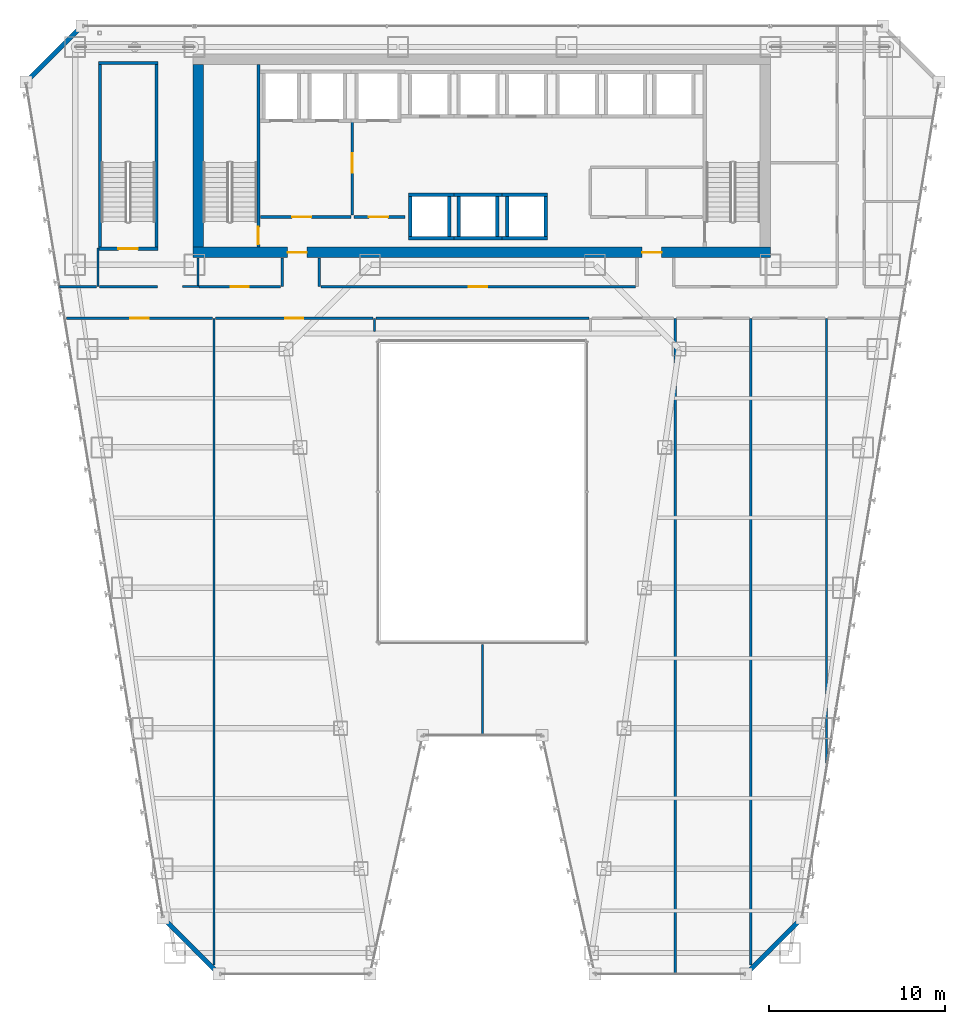
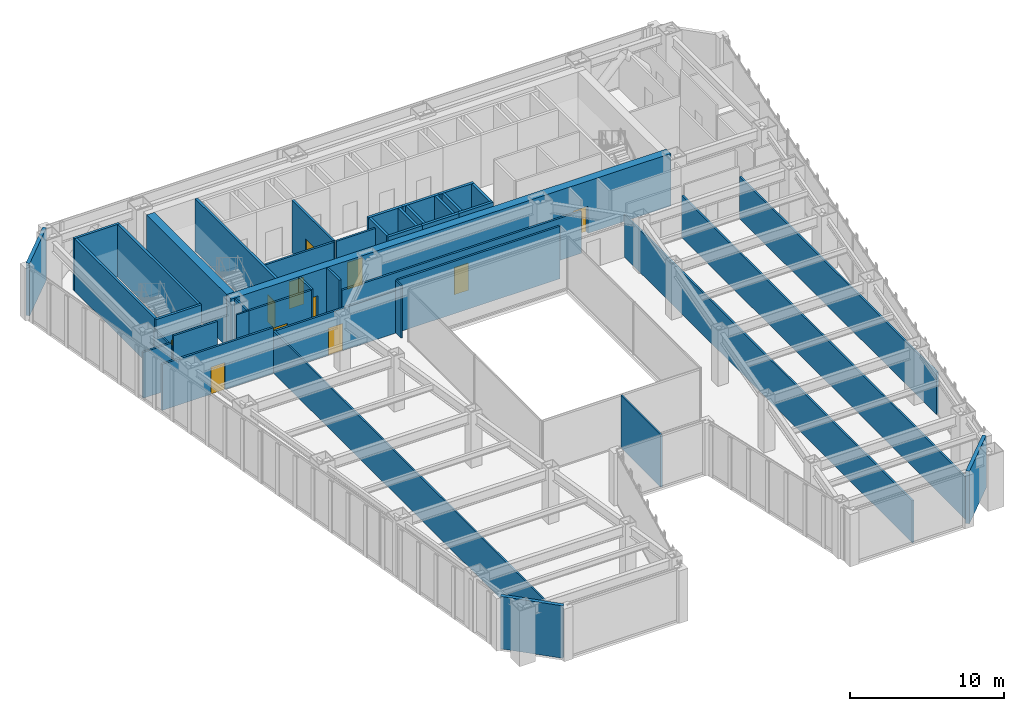
# One storey, part 36 of 47: 43 walls, 11 doors, 11 openings.
"""IFC4 building model written with IfcOpenShell, lengths in metres."""

from ifc_helpers import new_model, si_unit, direction, frame, frame_2d, origin, place, context, subcontext, project, spatial, rectangle, extrude, material, layer, layer_set, type_object, element, fill, save


model = new_model("IFC4")

# Units and contexts
model_context = context("Model", 3, precision=1e-05, world=origin(), true_north=direction((0.0, 1.0)))
body_context = subcontext(model_context, "Body", "Model", "MODEL_VIEW")
ifc_project = project(units=[si_unit("LENGTHUNIT", "METRE"), si_unit("AREAUNIT", "SQUARE_METRE"), si_unit("VOLUMEUNIT", "CUBIC_METRE"), si_unit("PLANEANGLEUNIT", "RADIAN"), si_unit("MASSUNIT", "GRAM", prefix="KILO")], contexts=[model_context])

# Site, building, storey
site_placement = place(None, origin())
site = spatial("IfcSite", under=ifc_project, at=site_placement, CompositionType="ELEMENT")
building_placement = place(site_placement, origin())
building = spatial("IfcBuilding", under=site, at=building_placement, Name="Saevonmaru Cultural Tower", CompositionType="ELEMENT")
storey_placement = place(building_placement, frame((0.0, 0.0, 60.39990234375)))
storey = spatial("IfcBuildingStorey", under=building, at=storey_placement, Name="L12", CompositionType="ELEMENT", Elevation=60.39990234375)

# Wall, openings, doors
ifc_material_1 = material(Name="Concrete C60/75", Category="concrete")
ifc_layer_1 = layer(ifc_material_1, 0.60009765625, Name="Concrete C60/75")
ifc_layer_set_1 = layer_set([ifc_layer_1], Name="Concrete C60/75")
wall_type_1 = type_object("IfcWallType", Name="WL-CORE-600", PredefinedType="SHEAR", material=ifc_layer_set_1)
wall_1_placement = place(storey_placement, frame((13.5, 43.10009765625, 0.0), z_axis=(0.0, 0.0, 1.0), x_axis=(1.0, 0.0, 0.0)))
wall_1 = element("IfcWall", 1, at=wall_1_placement, inside=storey, type_object=wall_type_1, Name="L12 Tower RC core shear wall S", PredefinedType="SHEAR", context=body_context, shape_type="SweptSolid", body=[
    extrude(rectangle(XDim=32.89990234375, YDim=0.60009765625, at=frame_2d((16.449951171875, 0.0))), origin(), (0.0, 0.0, 1.0), 4.150146484375),
])
opening_1_placement = place(wall_1_placement, frame((5.39990234375, 0.0, 0.0)))
opening_1 = element("IfcOpeningElement", 2, at=opening_1_placement, cuts=wall_1, Name="Opening FD-2", PredefinedType="OPENING", context=body_context, shape_type="SweptSolid", body=[
    extrude(rectangle(XDim=1.10009765625, YDim=2.14990234375, at=frame_2d((0.550048828125, 1.074951171875))), frame((0.0, 0.31005859375, 0.0), z_axis=(0.0, -1.0, 0.0), x_axis=(1.0, 0.0, 0.0)), (0.0, 0.0, 1.0), 0.6201171875),
])
opening_2_placement = place(wall_1_placement, frame((25.60009765625, 0.0, 0.0)))
opening_2 = element("IfcOpeningElement", 3, at=opening_2_placement, cuts=wall_1, Name="Opening FD-2", PredefinedType="OPENING", context=body_context, shape_type="SweptSolid", body=[
    extrude(rectangle(XDim=1.10009765625, YDim=2.14990234375, at=frame_2d((0.550048828125, 1.074951171875))), frame((0.0, 0.31005859375, 0.0), z_axis=(0.0, -1.0, 0.0), x_axis=(1.0, 0.0, 0.0)), (0.0, 0.0, 1.0), 0.6201171875),
])
ifc_material_2 = material(Name="Satin Bronze Anodised Aluminium", Category="aluminium")
door_type_1 = type_object("IfcDoorType", Name="DR-FD60-1100", OperationType="SINGLE_SWING_LEFT", PredefinedType="DOOR", material=ifc_material_2)
door_1_placement = place(opening_1_placement, origin())
door_1 = element("IfcDoor", 4, at=door_1_placement, inside=storey, type_object=door_type_1, Name="L12 Core West Lobby Fire Door", OperationType="SINGLE_SWING_LEFT", OverallHeight=2.14990234375, OverallWidth=1.10009765625, PredefinedType="DOOR", context=body_context, shape_type="SweptSolid", body=[
    extrude(rectangle(XDim=1.10009765625, YDim=2.14990234375, at=frame_2d((0.550048828125, 1.074951171875))), frame((0.0, 0.02490234375, 0.0), z_axis=(0.0, -1.0, 0.0), x_axis=(1.0, 0.0, 0.0)), (0.0, 0.0, 1.0), 0.050048828125),
])
fill(opening_1, door_1)
door_2_placement = place(opening_2_placement, origin())
door_2 = element("IfcDoor", 5, at=door_2_placement, inside=storey, type_object=door_type_1, Name="L12 Core East Lobby Fire Door", OperationType="SINGLE_SWING_LEFT", OverallHeight=2.14990234375, OverallWidth=1.10009765625, PredefinedType="DOOR", context=body_context, shape_type="SweptSolid", body=[
    extrude(rectangle(XDim=1.10009765625, YDim=2.14990234375, at=frame_2d((0.550048828125, 1.074951171875))), frame((0.0, 0.02490234375, 0.0), z_axis=(0.0, -1.0, 0.0), x_axis=(1.0, 0.0, 0.0)), (0.0, 0.0, 1.0), 0.050048828125),
])
fill(opening_2, door_2)

# Wall
wall_2_placement = place(storey_placement, frame((13.800048828125, 43.39990234375, 0.0), z_axis=(0.0, 0.0, 1.0), x_axis=(0.0, 1.0, 0.0)))
element("IfcWall", 6, at=wall_2_placement, inside=storey, type_object=wall_type_1, Name="L12 Tower RC core shear wall W", PredefinedType="SHEAR", context=body_context, shape_type="SweptSolid", body=[
    extrude(rectangle(XDim=10.400146484375, YDim=0.60009765625, at=frame_2d((5.2001953125, 0.0))), origin(), (0.0, 0.0, 1.0), 4.150146484375),
])

# Wall, opening, door
ifc_material_3 = material(Name="Gypsum Fireboard Partition", Category="gypsum")
ifc_layer_2 = layer(ifc_material_3, 0.14990234375, Name="Gypsum Fireboard Partition")
ifc_layer_set_2 = layer_set([ifc_layer_2], Name="Gypsum Fireboard Partition")
wall_type_2 = type_object("IfcWallType", Name="WL-CORE-PART-150", PredefinedType="PARTITIONING", material=ifc_layer_set_2)
wall_3_placement = place(storey_placement, frame((17.360107421875, 45.1201171875, 0.0), z_axis=(0.0, 0.0, 1.0), x_axis=(1.0, 0.0, 0.0)))
wall_3 = element("IfcWall", 7, at=wall_3_placement, inside=storey, type_object=wall_type_2, Name="L12 Firefighting Lift Lobby South Wall", PredefinedType="PARTITIONING", context=body_context, shape_type="SweptSolid", body=[
    extrude(rectangle(XDim=5.139892578125, YDim=0.14990234375, at=frame_2d((2.56982421875, 0.0))), origin(), (0.0, 0.0, 1.0), 4.150146484375),
])
opening_3_placement = place(wall_3_placement, frame((1.800048828125, 0.0, 0.0)))
opening_3 = element("IfcOpeningElement", 8, at=opening_3_placement, cuts=wall_3, Name="Opening FD-2", PredefinedType="OPENING", context=body_context, shape_type="SweptSolid", body=[
    extrude(rectangle(XDim=1.10009765625, YDim=2.14990234375, at=frame_2d((0.550048828125, 1.074951171875))), frame((0.0, 0.0849609375, 0.0), z_axis=(0.0, -1.0, 0.0), x_axis=(1.0, 0.0, 0.0)), (0.0, 0.0, 1.0), 0.169921875),
])
door_3_placement = place(opening_3_placement, origin())
door_3 = element("IfcDoor", 9, at=door_3_placement, inside=storey, type_object=door_type_1, Name="L12 Firefighting Lift Lobby South Door", OperationType="SINGLE_SWING_LEFT", OverallHeight=2.14990234375, OverallWidth=1.10009765625, PredefinedType="DOOR", context=body_context, shape_type="SweptSolid", body=[
    extrude(rectangle(XDim=1.10009765625, YDim=2.14990234375, at=frame_2d((0.550048828125, 1.074951171875))), frame((0.0, 0.02490234375, 0.0), z_axis=(0.0, -1.0, 0.0), x_axis=(1.0, 0.0, 0.0)), (0.0, 0.0, 1.0), 0.050048828125),
])
fill(opening_3, door_3)

wall_4_placement = place(storey_placement, frame((22.580078125, 50.550048828125, 0.0), z_axis=(0.0, 0.0, 1.0), x_axis=(0.0, -1.0, 0.0)))
wall_4 = element("IfcWall", 10, at=wall_4_placement, inside=storey, type_object=wall_type_2, Name="L12 Firefighting Lift Lobby East Wall", PredefinedType="PARTITIONING", context=body_context, shape_type="SweptSolid", body=[
    extrude(rectangle(XDim=5.330078125, YDim=0.14990234375, at=frame_2d((2.6650390625, 0.0))), origin(), (0.0, 0.0, 1.0), 4.150146484375),
])
opening_4_placement = place(wall_4_placement, frame((1.800048828125, 0.0, 0.0)))
opening_4 = element("IfcOpeningElement", 11, at=opening_4_placement, cuts=wall_4, Name="Opening FD-2", PredefinedType="OPENING", context=body_context, shape_type="SweptSolid", body=[
    extrude(rectangle(XDim=1.10009765625, YDim=2.14990234375, at=frame_2d((0.550048828125, 1.074951171875))), frame((0.0, 0.0849609375, 0.0), z_axis=(0.0, -1.0, 0.0), x_axis=(1.0, 0.0, 0.0)), (0.0, 0.0, 1.0), 0.169921875),
])
door_4_placement = place(opening_4_placement, origin())
door_4 = element("IfcDoor", 12, at=door_4_placement, inside=storey, type_object=door_type_1, Name="L12 Firefighting Lift Lobby East Door", OperationType="SINGLE_SWING_LEFT", OverallHeight=2.14990234375, OverallWidth=1.10009765625, PredefinedType="DOOR", context=body_context, shape_type="SweptSolid", body=[
    extrude(rectangle(XDim=1.10009765625, YDim=2.14990234375, at=frame_2d((0.550048828125, 1.074951171875))), frame((0.0, 0.02490234375, 0.0), z_axis=(0.0, -1.0, 0.0), x_axis=(1.0, 0.0, 0.0)), (0.0, 0.0, 1.0), 0.050048828125),
])
fill(opening_4, door_4)

wall_5_placement = place(storey_placement, frame((22.679931640625, 45.1201171875, 0.0), z_axis=(0.0, 0.0, 1.0), x_axis=(1.0, 0.0, 0.0)))
wall_5 = element("IfcWall", 13, at=wall_5_placement, inside=storey, type_object=wall_type_2, Name="L12 Service Lift Vestibule Wall", PredefinedType="PARTITIONING", context=body_context, shape_type="SweptSolid", body=[
    extrude(rectangle(XDim=2.920166015625, YDim=0.14990234375, at=frame_2d((1.4599609375, 0.0))), origin(), (0.0, 0.0, 1.0), 4.150146484375),
])
opening_5_placement = place(wall_5_placement, frame((0.85009765625, 0.0, 0.0)))
opening_5 = element("IfcOpeningElement", 14, at=opening_5_placement, cuts=wall_5, Name="Opening FD-2", PredefinedType="OPENING", context=body_context, shape_type="SweptSolid", body=[
    extrude(rectangle(XDim=1.10009765625, YDim=2.14990234375, at=frame_2d((0.550048828125, 1.074951171875))), frame((0.0, 0.0849609375, 0.0), z_axis=(0.0, -1.0, 0.0), x_axis=(1.0, 0.0, 0.0)), (0.0, 0.0, 1.0), 0.169921875),
])
door_5_placement = place(opening_5_placement, origin())
door_5 = element("IfcDoor", 15, at=door_5_placement, inside=storey, type_object=door_type_1, Name="L12 Service Lift Vestibule Door", OperationType="SINGLE_SWING_LEFT", OverallHeight=2.14990234375, OverallWidth=1.10009765625, PredefinedType="DOOR", context=body_context, shape_type="SweptSolid", body=[
    extrude(rectangle(XDim=1.10009765625, YDim=2.14990234375, at=frame_2d((0.550048828125, 1.074951171875))), frame((0.0, 0.02490234375, 0.0), z_axis=(0.0, -1.0, 0.0), x_axis=(1.0, 0.0, 0.0)), (0.0, 0.0, 1.0), 0.050048828125),
])
fill(opening_5, door_5)

# Walls
ifc_material_4 = material(Name="Granite-Clad Precast Concrete C40/50", Category="masonry")
ifc_layer_3 = layer(ifc_material_4, 0.260009765625, Name="Granite-Clad Precast Concrete C40/50")
ifc_layer_set_3 = layer_set([ifc_layer_3], Name="Granite-Clad Precast Concrete C40/50")
wall_type_3 = type_object("IfcWallType", Name="WL-EXT-SPANDREL-260", PredefinedType="STANDARD", material=ifc_layer_set_3)
for number, where, z_axis, x_axis, name in (
    (16, (11.9130859375, 5.0869140625, 0.0), (0.0, 0.0, 1.0), (0.707106781187, -0.707106781187, 0.0), "L12 Chamfer Corner Spandrel Wall E1"),
    (17, (45.113037109375, 2.113037109375, 0.0), (0.0, 0.0, 1.0), (0.707106781187, 0.707106781187, 0.0), "L12 Chamfer Corner Spandrel Wall E7"),
    (18, (7.0869140625, 55.886962890625, 0.0), (0.0, 0.0, 1.0), (-0.707106781187, -0.707106781187, 0.0), "L12 Chamfer Corner Spandrel Wall E11"),
):
    element("IfcWall", number, at=place(storey_placement, frame(where, z_axis=z_axis, x_axis=x_axis)), inside=storey, type_object=wall_type_3, Name=name, PredefinedType="STANDARD", context=body_context, shape_type="SweptSolid", body=[
        extrude(rectangle(XDim=4.205810546875, YDim=0.260009765625, at=frame_2d((2.10302734375, 0.0))), origin(), (0.0, 0.0, 1.0), 4.150146484375),
    ])
ifc_layer_4 = layer(ifc_material_3, 0.14990234375, Name="Gypsum Fireboard Partition")
ifc_layer_set_4 = layer_set([ifc_layer_4], Name="Gypsum Fireboard Partition")
wall_type_4 = type_object("IfcWallType", Name="WL-PART-FIRE-150", PredefinedType="PARTITIONING", material=ifc_layer_set_4)
wall_6_placement = place(storey_placement, frame((8.179931640625, 41.14990234375, 0.0), z_axis=(0.0, 0.0, 1.0), x_axis=(1.0, 0.0, 0.0)))
element("IfcWall", 19, at=wall_6_placement, inside=storey, type_object=wall_type_4, Name="L12 Stair ST-3 South Vestibule Wall", PredefinedType="PARTITIONING", context=body_context, shape_type="SweptSolid", body=[
    extrude(rectangle(XDim=3.300048828125, YDim=0.14990234375, at=frame_2d((1.64990234375, 0.0))), origin(), (0.0, 0.0, 1.0), 4.150146484375),
])
wall_7_placement = place(storey_placement, frame((5.9140625, 41.14990234375, 0.0), z_axis=(0.0, 0.0, 1.0), x_axis=(1.0, 0.0, 0.0)))
element("IfcWall", 20, at=wall_7_placement, inside=storey, type_object=wall_type_4, Name="L12 Contemporary Photography Gallery Corridor Wall", PredefinedType="PARTITIONING", context=body_context, shape_type="SweptSolid", body=[
    extrude(rectangle(XDim=2.10595703125, YDim=0.14990234375, at=frame_2d((1.052978515625, 0.0))), origin(), (0.0, 0.0, 1.0), 3.635009765625),
])
for number, where, z_axis, x_axis, name in (
    (21, (18.60009765625, 41.14990234375, 0.0), (0.0, 0.0, 1.0), (0.0, 1.0, 0.0), "L12 Core Portal Side Wall W1"),
    (22, (20.699951171875, 41.14990234375, 0.0), (0.0, 0.0, 1.0), (0.0, 1.0, 0.0), "L12 Core Portal Side Wall W2"),
):
    element("IfcWall", number, at=place(storey_placement, frame(where, z_axis=z_axis, x_axis=x_axis)), inside=storey, type_object=wall_type_4, Name=name, PredefinedType="PARTITIONING", context=body_context, shape_type="SweptSolid", body=[
        extrude(rectangle(XDim=1.630126953125, YDim=0.14990234375, at=frame_2d((0.81494140625, 0.0))), origin(), (0.0, 0.0, 1.0), 4.150146484375),
    ])

# Wall, opening, door
wall_8_placement = place(storey_placement, frame((13.85009765625, 41.14990234375, 0.0), z_axis=(0.0, 0.0, 1.0), x_axis=(1.0, 0.0, 0.0)))
wall_8 = element("IfcWall", 23, at=wall_8_placement, inside=storey, type_object=wall_type_4, Name="L12 Permanent Exhibition Gallery Corridor Wall", PredefinedType="PARTITIONING", context=body_context, shape_type="SweptSolid", body=[
    extrude(rectangle(XDim=4.65478515625, YDim=0.14990234375, at=frame_2d((2.327392578125, 0.0))), origin(), (0.0, 0.0, 1.0), 4.150146484375),
])
opening_6_placement = place(wall_8_placement, frame((1.802001953125, 0.0, 0.0)))
opening_6 = element("IfcOpeningElement", 24, at=opening_6_placement, cuts=wall_8, Name="Opening ID-1", PredefinedType="OPENING", context=body_context, shape_type="SweptSolid", body=[
    extrude(rectangle(XDim=1.050048828125, YDim=2.14990234375, at=frame_2d((0.52490234375, 1.074951171875))), frame((0.0, 0.0849609375, 0.0), z_axis=(0.0, -1.0, 0.0), x_axis=(1.0, 0.0, 0.0)), (0.0, 0.0, 1.0), 0.169921875),
])
door_type_2 = type_object("IfcDoorType", Name="DR-INT-1050", OperationType="SINGLE_SWING_LEFT", PredefinedType="DOOR", material=ifc_material_2)
door_6_placement = place(opening_6_placement, origin())
door_6 = element("IfcDoor", 25, at=door_6_placement, inside=storey, type_object=door_type_2, Name="L12 Permanent Exhibition Gallery Door", OperationType="SINGLE_SWING_LEFT", OverallHeight=2.14990234375, OverallWidth=1.050048828125, PredefinedType="DOOR", context=body_context, shape_type="SweptSolid", body=[
    extrude(rectangle(XDim=1.050048828125, YDim=2.14990234375, at=frame_2d((0.52490234375, 1.074951171875))), frame((0.0, 0.02490234375, 0.0), z_axis=(0.0, -1.0, 0.0), x_axis=(1.0, 0.0, 0.0)), (0.0, 0.0, 1.0), 0.050048828125),
])
fill(opening_6, door_6)

wall_9_placement = place(storey_placement, frame((20.794921875, 41.14990234375, 0.0), z_axis=(0.0, 0.0, 1.0), x_axis=(1.0, 0.0, 0.0)))
wall_9 = element("IfcWall", 26, at=wall_9_placement, inside=storey, type_object=wall_type_4, Name="L12 Contemporary Photography Gallery Corridor Wall", PredefinedType="PARTITIONING", context=body_context, shape_type="SweptSolid", body=[
    extrude(rectangle(XDim=17.91015625, YDim=0.14990234375, at=frame_2d((8.955078125, 0.0))), origin(), (0.0, 0.0, 1.0), 3.335205078125),
])
opening_7_placement = place(wall_9_placement, frame((8.429931640625, 0.0, 0.0)))
opening_7 = element("IfcOpeningElement", 27, at=opening_7_placement, cuts=wall_9, Name="Opening ID-1", PredefinedType="OPENING", context=body_context, shape_type="SweptSolid", body=[
    extrude(rectangle(XDim=1.050048828125, YDim=2.14990234375, at=frame_2d((0.52490234375, 1.074951171875))), frame((0.0, 0.0849609375, 0.0), z_axis=(0.0, -1.0, 0.0), x_axis=(1.0, 0.0, 0.0)), (0.0, 0.0, 1.0), 0.169921875),
])
door_7_placement = place(opening_7_placement, origin())
door_7 = element("IfcDoor", 28, at=door_7_placement, inside=storey, type_object=door_type_2, Name="L12 Contemporary Photography Gallery Door", OperationType="SINGLE_SWING_RIGHT", OverallHeight=2.14990234375, OverallWidth=1.050048828125, PredefinedType="DOOR", context=body_context, shape_type="SweptSolid", body=[
    extrude(rectangle(XDim=1.050048828125, YDim=2.14990234375, at=frame_2d((0.52490234375, 1.074951171875))), frame((0.0, 0.02490234375, 0.0), z_axis=(0.0, -1.0, 0.0), x_axis=(1.0, 0.0, 0.0)), (0.0, 0.0, 1.0), 0.050048828125),
])
fill(opening_7, door_7)

wall_10_placement = place(storey_placement, frame((6.304931640625, 39.35009765625, 0.0), z_axis=(0.0, 0.0, 1.0), x_axis=(1.0, 0.0, 0.0)))
wall_10 = element("IfcWall", 29, at=wall_10_placement, inside=storey, type_object=wall_type_4, Name="L12 Permanent Exhibition Gallery Corridor Wall", PredefinedType="PARTITIONING", context=body_context, shape_type="SweptSolid", body=[
    extrude(rectangle(XDim=8.324951171875, YDim=0.14990234375, at=frame_2d((4.16259765625, 0.0))), origin(), (0.0, 0.0, 1.0), 3.635009765625),
])
opening_8_placement = place(wall_10_placement, frame((3.637939453125, 0.0, 0.0)))
opening_8 = element("IfcOpeningElement", 30, at=opening_8_placement, cuts=wall_10, Name="Opening ID-1", PredefinedType="OPENING", context=body_context, shape_type="SweptSolid", body=[
    extrude(rectangle(XDim=1.050048828125, YDim=2.14990234375, at=frame_2d((0.52490234375, 1.074951171875))), frame((0.0, 0.0849609375, 0.0), z_axis=(0.0, -1.0, 0.0), x_axis=(1.0, 0.0, 0.0)), (0.0, 0.0, 1.0), 0.169921875),
])
door_8_placement = place(opening_8_placement, origin())
door_8 = element("IfcDoor", 31, at=door_8_placement, inside=storey, type_object=door_type_2, Name="L12 Permanent Exhibition Gallery Door", OperationType="SINGLE_SWING_RIGHT", OverallHeight=2.14990234375, OverallWidth=1.050048828125, PredefinedType="DOOR", context=body_context, shape_type="SweptSolid", body=[
    extrude(rectangle(XDim=1.050048828125, YDim=2.14990234375, at=frame_2d((0.52490234375, 1.074951171875))), frame((0.0, 0.02490234375, 0.0), z_axis=(0.0, -1.0, 0.0), x_axis=(1.0, 0.0, 0.0)), (0.0, 0.0, 1.0), 0.050048828125),
])
fill(opening_8, door_8)

wall_11_placement = place(storey_placement, frame((14.7900390625, 39.35009765625, 0.0), z_axis=(0.0, 0.0, 1.0), x_axis=(1.0, 0.0, 0.0)))
wall_11 = element("IfcWall", 32, at=wall_11_placement, inside=storey, type_object=wall_type_4, Name="L12 Contemporary Photography Gallery Corridor Wall", PredefinedType="PARTITIONING", context=body_context, shape_type="SweptSolid", body=[
    extrude(rectangle(XDim=8.97998046875, YDim=0.14990234375, at=frame_2d((4.489990234375, 0.0))), origin(), (0.0, 0.0, 1.0), 3.335205078125),
])
opening_9_placement = place(wall_11_placement, frame((3.965087890625, 0.0, 0.0)))
opening_9 = element("IfcOpeningElement", 33, at=opening_9_placement, cuts=wall_11, Name="Opening ID-1", PredefinedType="OPENING", context=body_context, shape_type="SweptSolid", body=[
    extrude(rectangle(XDim=1.050048828125, YDim=2.14990234375, at=frame_2d((0.52490234375, 1.074951171875))), frame((0.0, 0.0849609375, 0.0), z_axis=(0.0, -1.0, 0.0), x_axis=(1.0, 0.0, 0.0)), (0.0, 0.0, 1.0), 0.169921875),
])
door_9_placement = place(opening_9_placement, origin())
door_9 = element("IfcDoor", 34, at=door_9_placement, inside=storey, type_object=door_type_2, Name="L12 Contemporary Photography Gallery Door", OperationType="SINGLE_SWING_LEFT", OverallHeight=2.14990234375, OverallWidth=1.050048828125, PredefinedType="DOOR", context=body_context, shape_type="SweptSolid", body=[
    extrude(rectangle(XDim=1.050048828125, YDim=2.14990234375, at=frame_2d((0.52490234375, 1.074951171875))), frame((0.0, 0.02490234375, 0.0), z_axis=(0.0, -1.0, 0.0), x_axis=(1.0, 0.0, 0.0)), (0.0, 0.0, 1.0), 0.050048828125),
])
fill(opening_9, door_9)

# Walls
wall_12_placement = place(storey_placement, frame((23.929931640625, 39.35009765625, 0.0), z_axis=(0.0, 0.0, 1.0), x_axis=(1.0, 0.0, 0.0)))
element("IfcWall", 35, at=wall_12_placement, inside=storey, type_object=wall_type_4, Name="L12 North Atrium Corridor Wall", PredefinedType="PARTITIONING", context=body_context, shape_type="SweptSolid", body=[
    extrude(rectangle(XDim=12.14013671875, YDim=0.14990234375, at=frame_2d((6.070068359375, 0.0))), origin(), (0.0, 0.0, 1.0), 4.150146484375),
])
ifc_layer_5 = layer(ifc_material_3, 0.1201171875, Name="Gypsum Fireboard Partition")
ifc_layer_set_5 = layer_set([ifc_layer_5], Name="Gypsum Fireboard Partition")
wall_type_5 = type_object("IfcWallType", Name="WL-PART-GYP-120", PredefinedType="PARTITIONING", material=ifc_layer_set_5)
wall_13_placement = place(storey_placement, frame((12.919921875, 41.14990234375, 0.0), z_axis=(0.0, 0.0, 1.0), x_axis=(1.0, 0.0, 0.0)))
element("IfcWall", 36, at=wall_13_placement, inside=storey, type_object=wall_type_5, Name="L12 NW Inner South Wall", PredefinedType="PARTITIONING", context=body_context, shape_type="SweptSolid", body=[
    extrude(rectangle(XDim=0.93017578125, YDim=0.1201171875, at=frame_2d((0.465087890625, 0.0))), origin(), (0.0, 0.0, 1.0), 4.150146484375),
])
wall_14_placement = place(storey_placement, frame((13.800048828125, 41.22998046875, 0.0), z_axis=(0.0, 0.0, 1.0), x_axis=(0.0, 1.0, 0.0)))
element("IfcWall", 37, at=wall_14_placement, inside=storey, type_object=wall_type_5, Name="L12 NW Inner Core Return", PredefinedType="PARTITIONING", context=body_context, shape_type="SweptSolid", body=[
    extrude(rectangle(XDim=1.550048828125, YDim=0.1201171875, at=frame_2d((0.77490234375, 0.0))), origin(), (0.0, 0.0, 1.0), 4.150146484375),
])
wall_15_placement = place(storey_placement, frame((8.10009765625, 41.14990234375, 0.0), z_axis=(0.0, 0.0, 1.0), x_axis=(0.0, 1.0, 0.0)))
element("IfcWall", 38, at=wall_15_placement, inside=storey, type_object=wall_type_5, Name="L12 NW Stair Return", PredefinedType="PARTITIONING", context=body_context, shape_type="SweptSolid", body=[
    extrude(rectangle(XDim=2.2001953125, YDim=0.1201171875, at=frame_2d((1.10009765625, 0.0))), origin(), (0.0, 0.0, 1.0), 3.335205078125),
])
wall_16_placement = place(storey_placement, frame((14.7099609375, 2.502197265625, 0.0), z_axis=(0.0, 0.0, 1.0), x_axis=(0.0, 1.0, 0.0)))
element("IfcWall", 39, at=wall_16_placement, inside=storey, type_object=wall_type_5, Name="L12 West Bay Divider 1", PredefinedType="PARTITIONING", context=body_context, shape_type="SweptSolid", body=[
    extrude(rectangle(XDim=36.847900390625, YDim=0.1201171875, at=frame_2d((18.423828125, 0.0))), origin(), (0.0, 0.0, 1.0), 3.335205078125),
])
wall_17_placement = place(storey_placement, frame((23.85009765625, 38.60009765625, 0.0), z_axis=(0.0, 0.0, 1.0), x_axis=(0.0, 1.0, 0.0)))
element("IfcWall", 40, at=wall_17_placement, inside=storey, type_object=wall_type_5, Name="L12 North Atrium West Wall", PredefinedType="PARTITIONING", context=body_context, shape_type="SweptSolid", body=[
    extrude(rectangle(XDim=0.75, YDim=0.1201171875, at=frame_2d((0.375, 0.0))), origin(), (0.0, 0.0, 1.0), 4.150146484375),
])
wall_18_placement = place(storey_placement, frame((30.0, 15.60498046875, 0.0), z_axis=(0.0, 0.0, 1.0), x_axis=(0.0, 1.0, 0.0)))
element("IfcWall", 41, at=wall_18_placement, inside=storey, type_object=wall_type_5, Name="L12 South Atrium Center Split", PredefinedType="PARTITIONING", context=body_context, shape_type="SweptSolid", body=[
    extrude(rectangle(XDim=5.175048828125, YDim=0.1201171875, at=frame_2d((2.58740234375, 0.0))), origin(), (0.0, 0.0, 1.0), 4.150146484375),
])
ifc_layer_6 = layer(ifc_material_3, 0.135009765625, Name="Gypsum Fireboard Partition")
ifc_layer_set_6 = layer_set([ifc_layer_6], Name="Gypsum Fireboard Partition")
wall_type_6 = type_object("IfcWallType", Name="WL-PART-GYP-135", PredefinedType="PARTITIONING", material=ifc_layer_set_6)
wall_19_placement = place(storey_placement, frame((40.97998046875, 2.0048828125, 0.0), z_axis=(0.0, 0.0, 1.0), x_axis=(0.0, 1.0, 0.0)))
element("IfcWall", 42, at=wall_19_placement, inside=storey, type_object=wall_type_6, Name="L12 East Bay Divider 1", PredefinedType="PARTITIONING", context=body_context, shape_type="SweptSolid", body=[
    extrude(rectangle(XDim=37.34521484375, YDim=0.135009765625, at=frame_2d((18.672607421875, 0.0))), origin(), (0.0, 0.0, 1.0), 3.335205078125),
])
wall_20_placement = place(storey_placement, frame((45.2900390625, 2.502197265625, 0.0), z_axis=(0.0, 0.0, 1.0), x_axis=(0.0, 1.0, 0.0)))
element("IfcWall", 43, at=wall_20_placement, inside=storey, type_object=wall_type_6, Name="L12 East Bay Divider 2", PredefinedType="PARTITIONING", context=body_context, shape_type="SweptSolid", body=[
    extrude(rectangle(XDim=36.847900390625, YDim=0.135009765625, at=frame_2d((18.423828125, 0.0))), origin(), (0.0, 0.0, 1.0), 3.335205078125),
])
wall_21_placement = place(storey_placement, frame((49.60009765625, 13.7744140625, 0.0), z_axis=(0.0, 0.0, 1.0), x_axis=(0.0, 1.0, 0.0)))
element("IfcWall", 44, at=wall_21_placement, inside=storey, type_object=wall_type_6, Name="L12 East Bay Divider 3", PredefinedType="PARTITIONING", context=body_context, shape_type="SweptSolid", body=[
    extrude(rectangle(XDim=25.57568359375, YDim=0.135009765625, at=frame_2d((12.787841796875, 0.0))), origin(), (0.0, 0.0, 1.0), 3.335205078125),
])
ifc_material_5 = material(Name="Concrete C40/50", Category="concrete")
ifc_layer_7 = layer(ifc_material_5, 0.199951171875, Name="Concrete C40/50")
ifc_layer_set_7 = layer_set([ifc_layer_7], Name="Concrete C40/50")
wall_type_7 = type_object("IfcWallType", Name="WL-SHAFT-200", PredefinedType="SHEAR", material=ifc_layer_set_7)
for number, where, z_axis, x_axis, name in (
    (45, (25.800048828125, 43.89990234375, 0.0), (0.0, 0.0, 1.0), (1.0, 0.0, 0.0), "L12 Lift PL-M1 Hoistway Wall S"),
    (46, (25.800048828125, 46.39990234375, 0.0), (0.0, 0.0, 1.0), (1.0, 0.0, 0.0), "L12 Lift PL-M1 Hoistway Wall N"),
):
    element("IfcWall", number, at=place(storey_placement, frame(where, z_axis=z_axis, x_axis=x_axis)), inside=storey, type_object=wall_type_7, Name=name, PredefinedType="SHEAR", context=body_context, shape_type="SweptSolid", body=[
        extrude(rectangle(XDim=2.574951171875, YDim=0.199951171875, at=frame_2d((1.28759765625, 0.0))), origin(), (0.0, 0.0, 1.0), 4.150146484375),
    ])
for number, where, z_axis, x_axis, name in (
    (47, (25.89990234375, 44.0, 0.0), (0.0, 0.0, 1.0), (0.0, 1.0, 0.0), "L12 Lift PL-M1 Hoistway Wall W"),
    (48, (28.10009765625, 44.0, 0.0), (0.0, 0.0, 1.0), (0.0, 1.0, 0.0), "L12 Lift PL-M1 Hoistway Wall E"),
):
    element("IfcWall", number, at=place(storey_placement, frame(where, z_axis=z_axis, x_axis=x_axis)), inside=storey, type_object=wall_type_7, Name=name, PredefinedType="SHEAR", context=body_context, shape_type="SweptSolid", body=[
        extrude(rectangle(XDim=2.300048828125, YDim=0.199951171875, at=frame_2d((1.14990234375, 0.0))), origin(), (0.0, 0.0, 1.0), 4.150146484375),
    ])
for number, where, z_axis, x_axis, name in (
    (49, (28.375, 43.89990234375, 0.0), (0.0, 0.0, 1.0), (1.0, 0.0, 0.0), "L12 Lift PL-M2 Hoistway Wall S"),
    (50, (28.375, 46.39990234375, 0.0), (0.0, 0.0, 1.0), (1.0, 0.0, 0.0), "L12 Lift PL-M2 Hoistway Wall N"),
):
    element("IfcWall", number, at=place(storey_placement, frame(where, z_axis=z_axis, x_axis=x_axis)), inside=storey, type_object=wall_type_7, Name=name, PredefinedType="SHEAR", context=body_context, shape_type="SweptSolid", body=[
        extrude(rectangle(XDim=2.75, YDim=0.199951171875, at=frame_2d((1.375, 0.0))), origin(), (0.0, 0.0, 1.0), 4.150146484375),
    ])
for number, where, z_axis, x_axis, name in (
    (51, (28.64990234375, 44.0, 0.0), (0.0, 0.0, 1.0), (0.0, 1.0, 0.0), "L12 Lift PL-M2 Hoistway Wall W"),
    (52, (30.85009765625, 44.0, 0.0), (0.0, 0.0, 1.0), (0.0, 1.0, 0.0), "L12 Lift PL-M2 Hoistway Wall E"),
):
    element("IfcWall", number, at=place(storey_placement, frame(where, z_axis=z_axis, x_axis=x_axis)), inside=storey, type_object=wall_type_7, Name=name, PredefinedType="SHEAR", context=body_context, shape_type="SweptSolid", body=[
        extrude(rectangle(XDim=2.300048828125, YDim=0.199951171875, at=frame_2d((1.14990234375, 0.0))), origin(), (0.0, 0.0, 1.0), 4.150146484375),
    ])
for number, where, z_axis, x_axis, name in (
    (53, (31.125, 43.89990234375, 0.0), (0.0, 0.0, 1.0), (1.0, 0.0, 0.0), "L12 Lift PL-M3 Hoistway Wall S"),
    (54, (31.125, 46.39990234375, 0.0), (0.0, 0.0, 1.0), (1.0, 0.0, 0.0), "L12 Lift PL-M3 Hoistway Wall N"),
):
    element("IfcWall", number, at=place(storey_placement, frame(where, z_axis=z_axis, x_axis=x_axis)), inside=storey, type_object=wall_type_7, Name=name, PredefinedType="SHEAR", context=body_context, shape_type="SweptSolid", body=[
        extrude(rectangle(XDim=2.574951171875, YDim=0.199951171875, at=frame_2d((1.28759765625, 0.0))), origin(), (0.0, 0.0, 1.0), 4.150146484375),
    ])
for number, where, z_axis, x_axis, name in (
    (55, (31.39990234375, 44.0, 0.0), (0.0, 0.0, 1.0), (0.0, 1.0, 0.0), "L12 Lift PL-M3 Hoistway Wall W"),
    (56, (33.60009765625, 44.0, 0.0), (0.0, 0.0, 1.0), (0.0, 1.0, 0.0), "L12 Lift PL-M3 Hoistway Wall E"),
):
    element("IfcWall", number, at=place(storey_placement, frame(where, z_axis=z_axis, x_axis=x_axis)), inside=storey, type_object=wall_type_7, Name=name, PredefinedType="SHEAR", context=body_context, shape_type="SweptSolid", body=[
        extrude(rectangle(XDim=2.300048828125, YDim=0.199951171875, at=frame_2d((1.14990234375, 0.0))), origin(), (0.0, 0.0, 1.0), 4.150146484375),
    ])

# Wall, opening, door
ifc_layer_8 = layer(ifc_material_5, 0.179931640625, Name="Concrete C40/50")
ifc_layer_set_8 = layer_set([ifc_layer_8], Name="Concrete C40/50")
wall_type_8 = type_object("IfcWallType", Name="WL-STSHAFT-180", PredefinedType="SHEAR", material=ifc_layer_set_8)
wall_22_placement = place(storey_placement, frame((17.239990234375, 43.39990234375, 0.0), z_axis=(0.0, 0.0, 1.0), x_axis=(0.0, 1.0, 0.0)))
wall_22 = element("IfcWall", 57, at=wall_22_placement, inside=storey, type_object=wall_type_8, Name="L12 Stair ST-1 Structural Shaft Wall 1", PredefinedType="SHEAR", context=body_context, shape_type="SweptSolid", body=[
    extrude(rectangle(XDim=10.400146484375, YDim=0.179931640625, at=frame_2d((5.2001953125, 0.0))), origin(), (0.0, 0.0, 1.0), 4.150146484375),
])
opening_10_placement = place(wall_22_placement, frame((0.159912109375, 0.0, 0.0)))
opening_10 = element("IfcOpeningElement", 58, at=opening_10_placement, cuts=wall_22, Name="Opening FD-3", PredefinedType="OPENING", context=body_context, shape_type="SweptSolid", body=[
    extrude(rectangle(XDim=1.0, YDim=2.14990234375, at=frame_2d((0.5, 1.074951171875))), frame((0.0, 0.10009765625, 0.0), z_axis=(0.0, -1.0, 0.0), x_axis=(1.0, 0.0, 0.0)), (0.0, 0.0, 1.0), 0.199951171875),
])
door_type_3 = type_object("IfcDoorType", Name="DR-FD60-1000", OperationType="SINGLE_SWING_RIGHT", PredefinedType="DOOR", material=ifc_material_2)
door_10_placement = place(opening_10_placement, origin())
door_10 = element("IfcDoor", 59, at=door_10_placement, inside=storey, type_object=door_type_3, Name="L12 Protected Stair ST-1 Fire Door", OperationType="SINGLE_SWING_RIGHT", OverallHeight=2.14990234375, OverallWidth=1.0, PredefinedType="DOOR", context=body_context, shape_type="SweptSolid", body=[
    extrude(rectangle(XDim=1.0, YDim=2.14990234375, at=frame_2d((0.5, 1.074951171875))), frame((0.0, 0.02490234375, 0.0), z_axis=(0.0, -1.0, 0.0), x_axis=(1.0, 0.0, 0.0)), (0.0, 0.0, 1.0), 0.050048828125),
])
fill(opening_10, door_10)

wall_23_placement = place(storey_placement, frame((8.1201171875, 43.31005859375, 0.0), z_axis=(0.0, 0.0, 1.0), x_axis=(1.0, 0.0, 0.0)))
wall_23 = element("IfcWall", 60, at=wall_23_placement, inside=storey, type_object=wall_type_8, Name="L12 Stair ST-3 Structural Shaft Wall 1", PredefinedType="SHEAR", context=body_context, shape_type="SweptSolid", body=[
    extrude(rectangle(XDim=3.409912109375, YDim=0.179931640625, at=frame_2d((1.705078125, 0.0))), origin(), (0.0, 0.0, 1.0), 4.150146484375),
])
opening_11_placement = place(wall_23_placement, frame((1.14990234375, 0.0, 0.0)))
opening_11 = element("IfcOpeningElement", 61, at=opening_11_placement, cuts=wall_23, Name="Opening FD-2", PredefinedType="OPENING", context=body_context, shape_type="SweptSolid", body=[
    extrude(rectangle(XDim=1.10009765625, YDim=2.14990234375, at=frame_2d((0.550048828125, 1.074951171875))), frame((0.0, 0.10009765625, 0.0), z_axis=(0.0, -1.0, 0.0), x_axis=(1.0, 0.0, 0.0)), (0.0, 0.0, 1.0), 0.199951171875),
])
door_11_placement = place(opening_11_placement, origin())
door_11 = element("IfcDoor", 62, at=door_11_placement, inside=storey, type_object=door_type_1, Name="L12 Protected Stair ST-3 Fire Door", OperationType="SINGLE_SWING_LEFT", OverallHeight=2.14990234375, OverallWidth=1.10009765625, PredefinedType="DOOR", context=body_context, shape_type="SweptSolid", body=[
    extrude(rectangle(XDim=1.10009765625, YDim=2.14990234375, at=frame_2d((0.550048828125, 1.074951171875))), frame((0.0, 0.02490234375, 0.0), z_axis=(0.0, -1.0, 0.0), x_axis=(1.0, 0.0, 0.0)), (0.0, 0.0, 1.0), 0.050048828125),
])
fill(opening_11, door_11)

# Walls
wall_24_placement = place(storey_placement, frame((11.43994140625, 43.39990234375, 0.0), z_axis=(0.0, 0.0, 1.0), x_axis=(0.0, 1.0, 0.0)))
element("IfcWall", 63, at=wall_24_placement, inside=storey, type_object=wall_type_8, Name="L12 Stair ST-3 Structural Shaft Wall 2", PredefinedType="SHEAR", context=body_context, shape_type="SweptSolid", body=[
    extrude(rectangle(XDim=10.400146484375, YDim=0.179931640625, at=frame_2d((5.2001953125, 0.0))), origin(), (0.0, 0.0, 1.0), 4.150146484375),
])
wall_25_placement = place(storey_placement, frame((11.530029296875, 53.889892578125, 0.0), z_axis=(0.0, 0.0, 1.0), x_axis=(-1.0, 0.0, 0.0)))
element("IfcWall", 64, at=wall_25_placement, inside=storey, type_object=wall_type_8, Name="L12 Stair ST-3 Structural Shaft Wall 3", PredefinedType="SHEAR", context=body_context, shape_type="SweptSolid", body=[
    extrude(rectangle(XDim=3.409912109375, YDim=0.179931640625, at=frame_2d((1.705078125, 0.0))), origin(), (0.0, 0.0, 1.0), 4.150146484375),
])
wall_26_placement = place(storey_placement, frame((8.2099609375, 53.800048828125, 0.0), z_axis=(0.0, 0.0, 1.0), x_axis=(0.0, -1.0, 0.0)))
element("IfcWall", 65, at=wall_26_placement, inside=storey, type_object=wall_type_8, Name="L12 Stair ST-3 Structural Shaft Wall 4", PredefinedType="SHEAR", context=body_context, shape_type="SweptSolid", body=[
    extrude(rectangle(XDim=10.400146484375, YDim=0.179931640625, at=frame_2d((5.2001953125, 0.0))), origin(), (0.0, 0.0, 1.0), 4.150146484375),
])

save(model, "model.ifc")
